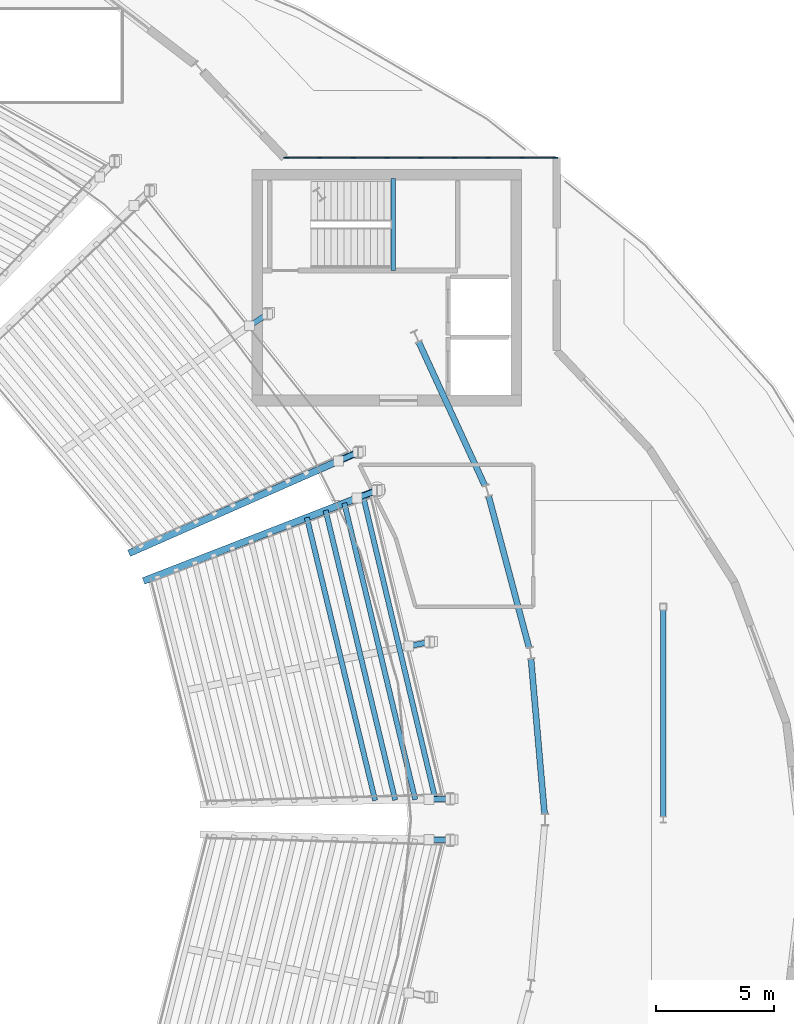
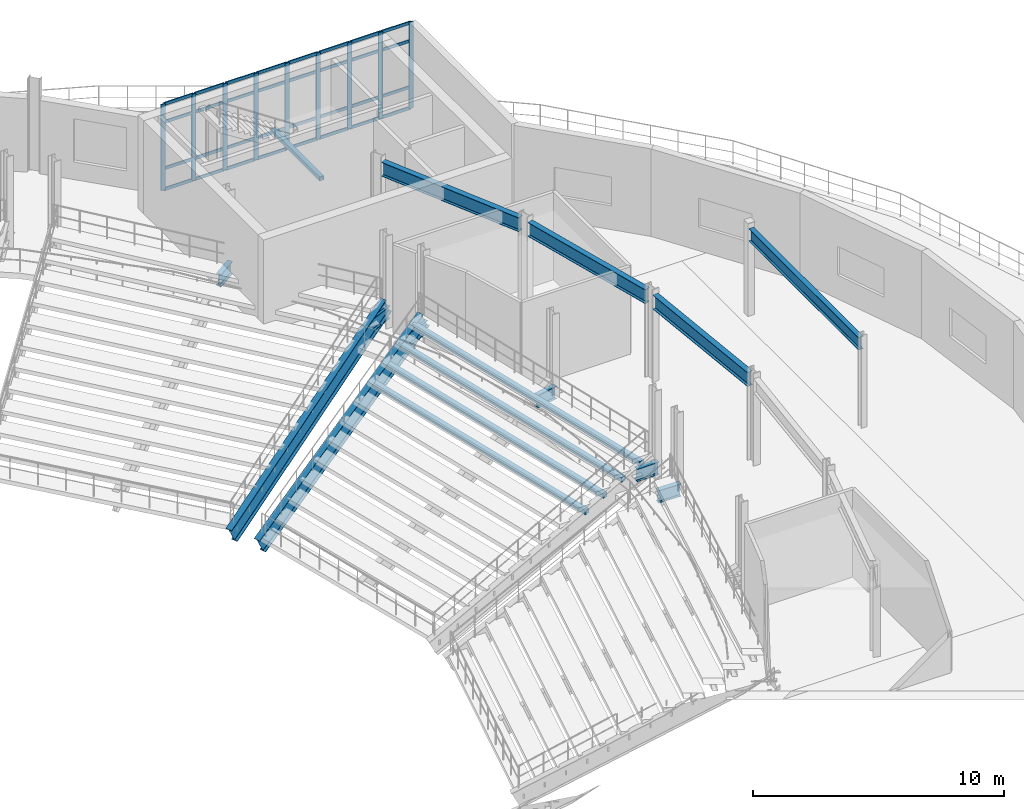
# One storey, part 42 of 81: 41 members, 17 beams, 1 element without a shape of its own.
"""IFC4 building model written with IfcOpenShell, lengths in metres."""

from ifc_helpers import new_model, si_unit, direction, frame, origin, origin_2d, place, context, subcontext, project, spatial, rectangle, hollow_rectangle, i_section, extrude, material, material_profile, profile_set, type_object, element, aggregate, save


model = new_model("IFC4")

# Units and contexts
model_context = context("Model", 3, precision=1e-05, world=origin(), true_north=direction((0.0, 1.0)))
body_context = subcontext(model_context, "Body", "Model", "MODEL_VIEW")
ifc_project = project(units=[si_unit("LENGTHUNIT", "METRE"), si_unit("AREAUNIT", "SQUARE_METRE"), si_unit("VOLUMEUNIT", "CUBIC_METRE"), si_unit("PLANEANGLEUNIT", "RADIAN"), si_unit("MASSUNIT", "GRAM", prefix="KILO")], contexts=[model_context])

# Site, building, storey
site_placement = place(None, origin())
site = spatial("IfcSite", under=ifc_project, at=site_placement, CompositionType="ELEMENT")
building_placement = place(site_placement, origin())
building = spatial("IfcBuilding", under=site, at=building_placement, Name="Glasvene Arena", CompositionType="ELEMENT")
storey_placement = place(building_placement, frame((0.0, 0.0, 15.0)))
storey = spatial("IfcBuildingStorey", under=building, at=storey_placement, Name="L03", CompositionType="ELEMENT", Elevation=15.0)

# Beams
ifc_material_1 = material(Name="Steel S355J2", Category="steel")
ifc_material_profile_1 = material_profile(ifc_material_1, i_section(OverallWidth=0.228271484375, OverallDepth=0.607666015625, WebThickness=0.010986328125, FlangeThickness=0.017333984375, FilletRadius=0.0126953125, at=origin_2d()), Name="UKB 610x229x113")
ifc_profile_set_1 = profile_set([ifc_material_profile_1], Name="Steel S355J2")
beam_type_1 = type_object("IfcBeamType", Name="BM-GIRD-610", PredefinedType="BEAM", material=ifc_profile_set_1)
beam_1_placement = place(storey_placement, frame((147.0, 73.125244140625, 3.9462890625), z_axis=(0.0, 1.0, 0.0), x_axis=(-1.0, 0.0, 0.0)))
element("IfcBeam", 1, at=beam_1_placement, inside=storey, type_object=beam_type_1, Name="Primary Y girder L03-0985", PredefinedType="BEAM", context=body_context, shape_type="SweptSolid", body=[
    extrude(i_section(OverallWidth=0.228271484375, OverallDepth=0.607666015625, WebThickness=0.010986328125, FlangeThickness=0.017333984375, FilletRadius=0.0126953125, at=origin_2d()), origin(), (0.0, 0.0, 1.0), 8.729736328125),
])
for number, where, z_axis, x_axis, name in (
    (2, (137.08837890625, 73.85302734375, 0.60498046875), (0.999741464718, 0.02273771586, 0.0), (-0.02273771586, 0.999741464718, 0.0), "Upper raker rear seat haunch girder RKS-01-1"),
    (3, (136.2333984375, 80.33544921875, 0.544921875), (0.980791823058, 0.195057426987, 0.0), (-0.195057426987, 0.980791823058, 0.0), "Upper raker rear seat haunch girder RKS-01-2"),
    (4, (134.0478515625, 86.596923828125, 0.60498046875), (0.932305314337, 0.361672228488, 0.0), (-0.361672228488, 0.932305314337, 0.0), "Upper raker rear seat haunch girder RKS-01-3"),
    (5, (133.2646484375, 88.17333984375, 0.60498046875), (0.914972384144, 0.403516463423, 0.0), (-0.403516463423, 0.914972384144, 0.0), "Upper raker rear seat haunch girder RKS-02-1"),
):
    element("IfcBeam", number, at=place(storey_placement, frame(where, z_axis=z_axis, x_axis=x_axis)), inside=storey, type_object=beam_type_1, Name=name, PredefinedType="BEAM", context=body_context, shape_type="SweptSolid", body=[
        extrude(i_section(OverallWidth=0.228271484375, OverallDepth=0.607666015625, WebThickness=0.010986328125, FlangeThickness=0.017333984375, FilletRadius=0.0126953125, at=origin_2d()), origin(), (0.0, 0.0, 1.0), 1.02001953125),
    ])
beam_2_placement = place(storey_placement, frame((129.499267578125, 93.889404296875, 0.544921875), z_axis=(0.831386976724, 0.555693885997, 0.0), x_axis=(-0.555693885997, 0.831386976724, 0.0)))
element("IfcBeam", 6, at=beam_2_placement, inside=storey, type_object=beam_type_1, Name="Upper raker rear seat haunch girder RKS-02-2", PredefinedType="BEAM", context=body_context, shape_type="SweptSolid", body=[
    extrude(i_section(OverallWidth=0.228271484375, OverallDepth=0.607666015625, WebThickness=0.010986328125, FlangeThickness=0.017333984375, FilletRadius=0.0126953125, at=origin_2d()), origin(), (0.0, 0.0, 1.0), 1.020263671875),
])
beam_3_placement = place(storey_placement, frame((137.08837890625, 72.14697265625, 0.60498046875), z_axis=(0.999741464718, -0.02273771586, 0.0), x_axis=(0.02273771586, 0.999741464718, 0.0)))
element("IfcBeam", 7, at=beam_3_placement, inside=storey, type_object=beam_type_1, Name="Upper raker rear seat haunch girder RKS-16-3", PredefinedType="BEAM", context=body_context, shape_type="SweptSolid", body=[
    extrude(i_section(OverallWidth=0.228271484375, OverallDepth=0.607666015625, WebThickness=0.010986328125, FlangeThickness=0.017333984375, FilletRadius=0.0126953125, at=origin_2d()), origin(), (0.0, 0.0, 1.0), 1.02001953125),
])
ifc_material_profile_2 = material_profile(ifc_material_1, i_section(OverallWidth=0.253662109375, OverallDepth=0.68359375, WebThickness=0.012451171875, FlangeThickness=0.01904296875, FilletRadius=0.01513671875, at=origin_2d()), Name="UKB 686x254x140")
ifc_profile_set_2 = profile_set([ifc_material_profile_2], Name="Steel S355J2")
beam_type_2 = type_object("IfcBeamType", Name="BM-GIRD-686", PredefinedType="BEAM", material=ifc_profile_set_2)
beam_4_placement = place(storey_placement, frame((141.97900390625, 73.239013671875, 3.908203125), z_axis=(-0.087106255104, 0.996199026461, 0.0), x_axis=(-0.996199026461, -0.087106255104, 0.0)))
element("IfcBeam", 8, at=beam_4_placement, inside=storey, type_object=beam_type_2, Name="Bowl ring chord beam L03-01", PredefinedType="BEAM", context=body_context, shape_type="SweptSolid", body=[
    extrude(i_section(OverallWidth=0.253662109375, OverallDepth=0.68359375, WebThickness=0.012451171875, FlangeThickness=0.01904296875, FilletRadius=0.01513671875, at=origin_2d()), origin(), (0.0, 0.0, 1.0), 6.586669921875),
])
beam_5_placement = place(storey_placement, frame((141.322509765625, 80.271484375, 3.908203125), z_axis=(-0.257729153992, 0.966217202901, 0.0), x_axis=(-0.966217202901, -0.257729153992, 0.0)))
element("IfcBeam", 9, at=beam_5_placement, inside=storey, type_object=beam_type_2, Name="Bowl ring chord beam L03-02", PredefinedType="BEAM", context=body_context, shape_type="SweptSolid", body=[
    extrude(i_section(OverallWidth=0.253662109375, OverallDepth=0.68359375, WebThickness=0.012451171875, FlangeThickness=0.01904296875, FilletRadius=0.01513671875, at=origin_2d()), origin(), (0.0, 0.0, 1.0), 6.626220703125),
])
beam_6_placement = place(storey_placement, frame((139.452392578125, 87.123779296875, 3.908203125), z_axis=(-0.418069169042, 0.908415196866, 0.0), x_axis=(-0.908415196866, -0.418069169042, 0.0)))
element("IfcBeam", 10, at=beam_6_placement, inside=storey, type_object=beam_type_2, Name="Bowl ring chord beam L03-03", PredefinedType="BEAM", context=body_context, shape_type="SweptSolid", body=[
    extrude(i_section(OverallWidth=0.253662109375, OverallDepth=0.68359375, WebThickness=0.012451171875, FlangeThickness=0.01904296875, FilletRadius=0.01513671875, at=origin_2d()), origin(), (0.0, 0.0, 1.0), 6.70166015625),
])
ifc_material_profile_3 = material_profile(ifc_material_1, hollow_rectangle(XDim=0.199951171875, YDim=0.199951171875, WallThickness=0.010009765625, at=origin_2d()), Name="SHS 200x200x10.0")
ifc_profile_set_3 = profile_set([ifc_material_profile_3], Name="Steel S355J2")
beam_type_3 = type_object("IfcBeamType", Name="BM-LINTEL-200", PredefinedType="LINTEL", material=ifc_profile_set_3)
beam_7_placement = place(storey_placement, frame((135.580078125, 96.22998046875, 1.929931640625), z_axis=(0.0, 1.0, 0.0), x_axis=(-1.0, 0.0, 0.0)))
element("IfcBeam", 11, at=beam_7_placement, inside=storey, type_object=beam_type_3, Name="Stair half-landing support beam ST-02-L03", PredefinedType="LINTEL", context=body_context, shape_type="SweptSolid", body=[
    extrude(hollow_rectangle(XDim=0.199951171875, YDim=0.199951171875, WallThickness=0.010009765625, at=origin_2d()), origin(), (0.0, 0.0, 1.0), 3.89013671875),
])
ifc_material_profile_4 = material_profile(ifc_material_1, i_section(OverallWidth=0.29248046875, OverallDepth=0.8408203125, WebThickness=0.0146484375, FlangeThickness=0.021728515625, FilletRadius=0.017822265625, at=origin_2d()), Name="UKB 838x292x194")
ifc_profile_set_4 = profile_set([ifc_material_profile_4], Name="Steel S355J2")
beam_type_4 = type_object("IfcBeamType", Name="Upper bowl raker", PredefinedType="USERDEFINED", material=ifc_profile_set_4)
beam_8_placement = place(storey_placement, frame((125.190673828125, 83.16162109375, -4.320068359375), z_axis=(0.829704586846, 0.321824936055, 0.456091009669), x_axis=(-0.361628219192, 0.932322385811, 0.0)))
element("IfcBeam", 12, at=beam_8_placement, inside=storey, type_object=beam_type_4, Name="Upper bowl cantilevered raker beam RKU-01-3", ObjectType="RAKER BEAM", PredefinedType="USERDEFINED", context=body_context, shape_type="SweptSolid", body=[
    extrude(i_section(OverallWidth=0.29248046875, OverallDepth=0.8408203125, WebThickness=0.0146484375, FlangeThickness=0.021728515625, FilletRadius=0.017822265625, at=origin_2d()), origin(), (0.0, 0.0, 1.0), 11.6865234375),
])
beam_9_placement = place(storey_placement, frame((124.572509765625, 84.339599609375, -4.320068359375), z_axis=(0.814248067092, 0.359137379961, 0.456092564674), x_axis=(-0.403555824655, 0.914955024243, 0.0)))
element("IfcBeam", 13, at=beam_9_placement, inside=storey, type_object=beam_type_4, Name="Upper bowl cantilevered raker beam RKU-02-1", ObjectType="RAKER BEAM", PredefinedType="USERDEFINED", context=body_context, shape_type="SweptSolid", body=[
    extrude(i_section(OverallWidth=0.29248046875, OverallDepth=0.8408203125, WebThickness=0.0146484375, FlangeThickness=0.021728515625, FilletRadius=0.017822265625, at=origin_2d()), origin(), (0.0, 0.0, 1.0), 11.686279296875),
])
ifc_material_2 = material(Name="Precast concrete C50/60", Category="concrete")
ifc_material_profile_5 = material_profile(ifc_material_2, rectangle(XDim=0.219970703125, YDim=0.219970703125, at=origin_2d()), Name="RC 220x220")
ifc_profile_set_5 = profile_set([ifc_material_profile_5], Name="Precast concrete C50/60")
beam_type_5 = type_object("IfcBeamType", Name="BM-TIER-BEARER", PredefinedType="BEAM", material=ifc_profile_set_5)
beam_10_placement = place(storey_placement, frame((134.80908203125, 73.80126953125, -0.375), z_axis=(-0.234433810383, 0.972132083901, 0.0), x_axis=(-0.972132083901, -0.234433810383, 0.0)))
element("IfcBeam", 14, at=beam_10_placement, inside=storey, type_object=beam_type_5, Name="Upper tier precast row bearer 01-R09", PredefinedType="BEAM", context=body_context, shape_type="SweptSolid", body=[
    extrude(rectangle(XDim=0.219970703125, YDim=0.219970703125, at=origin_2d()), origin(), (0.0, 0.0, 1.0), 12.314697265625),
])
beam_11_placement = place(storey_placement, frame((135.65869140625, 73.820556640625, 0.10498046875), z_axis=(-0.233508438438, 0.972354775367, 0.0), x_axis=(-0.972354775367, -0.233508438438, 0.0)))
element("IfcBeam", 15, at=beam_11_placement, inside=storey, type_object=beam_type_5, Name="Upper tier precast row bearer 01-R10", PredefinedType="BEAM", context=body_context, shape_type="SweptSolid", body=[
    extrude(rectangle(XDim=0.219970703125, YDim=0.219970703125, at=origin_2d()), origin(), (0.0, 0.0, 1.0), 12.608154296875),
])
beam_12_placement = place(storey_placement, frame((136.508544921875, 73.83984375, 0.5849609375), z_axis=(-0.232647147532, 0.97256120874, 0.0), x_axis=(-0.97256120874, -0.232647147532, 0.0)))
element("IfcBeam", 16, at=beam_12_placement, inside=storey, type_object=beam_type_5, Name="Upper tier precast row bearer 01-R11", PredefinedType="BEAM", context=body_context, shape_type="SweptSolid", body=[
    extrude(rectangle(XDim=0.219970703125, YDim=0.219970703125, at=origin_2d()), origin(), (0.0, 0.0, 1.0), 12.9013671875),
])
beam_13_placement = place(storey_placement, frame((137.3583984375, 73.859130859375, 1.06494140625), z_axis=(-0.231819803221, 0.97275874647, 0.0), x_axis=(-0.97275874647, -0.231819803221, 0.0)))
element("IfcBeam", 17, at=beam_13_placement, inside=storey, type_object=beam_type_5, Name="Upper tier precast row bearer 01-R12", PredefinedType="BEAM", context=body_context, shape_type="SweptSolid", body=[
    extrude(rectangle(XDim=0.219970703125, YDim=0.219970703125, at=origin_2d()), origin(), (0.0, 0.0, 1.0), 13.19482421875),
])

# Curtain wall, members
ifc_material_3 = material(Name="Low-emissivity laminated double glazing", Category="glass")
curtain_wall_type = type_object("IfcCurtainWallType", Name="CW-FAC-L03-1144x419", PredefinedType="USERDEFINED", material=ifc_material_3)
curtain_wall_placement = place(storey_placement, frame((131.020263671875, 101.0, 0.0)))
curtain_wall = element("IfcCurtainWall", 18, at=curtain_wall_placement, inside=storey, type_object=curtain_wall_type, Name="Unitised curtain wall CW-F-L03-180-1367-1010-34", ObjectType="CURTAIN WALL", PredefinedType="USERDEFINED")
ifc_material_4 = material(Name="Anodised architectural aluminium", Category="aluminium")
ifc_material_profile_6 = material_profile(ifc_material_4, rectangle(XDim=0.050048828125, YDim=0.199951171875, at=origin_2d()), Name="ALU MULLION 50x200")
ifc_profile_set_6 = profile_set([ifc_material_profile_6], Name="Anodised architectural aluminium")
member_type_1 = type_object("IfcMemberType", Name="CW-MUL-180", PredefinedType="MULLION", material=ifc_profile_set_6)
member_1_placement = place(storey_placement, frame((131.045166015625, 101.0, 0.06005859375), z_axis=(0.0, 0.0, 1.0), x_axis=(0.0, 1.0, 0.0)))
member_1 = element("IfcMember", 19, at=member_1_placement, type_object=member_type_1, Name="CW-038 mullion 1", PredefinedType="MULLION", context=body_context, shape_type="SweptSolid", body=[
    extrude(rectangle(XDim=0.050048828125, YDim=0.199951171875, at=origin_2d()), origin(), (0.0, 0.0, 1.0), 4.18994140625),
])
member_2_placement = place(storey_placement, frame((132.4501953125, 101.0, 0.06005859375), z_axis=(0.0, 0.0, 1.0), x_axis=(0.0, 1.0, 0.0)))
member_2 = element("IfcMember", 20, at=member_2_placement, type_object=member_type_1, Name="CW-038 mullion 2", PredefinedType="MULLION", context=body_context, shape_type="SweptSolid", body=[
    extrude(rectangle(XDim=0.050048828125, YDim=0.199951171875, at=origin_2d()), origin(), (0.0, 0.0, 1.0), 4.18994140625),
])
member_3_placement = place(storey_placement, frame((133.880126953125, 101.0, 0.06005859375), z_axis=(0.0, 0.0, 1.0), x_axis=(0.0, 1.0, 0.0)))
member_3 = element("IfcMember", 21, at=member_3_placement, type_object=member_type_1, Name="CW-038 mullion 3", PredefinedType="MULLION", context=body_context, shape_type="SweptSolid", body=[
    extrude(rectangle(XDim=0.050048828125, YDim=0.199951171875, at=origin_2d()), origin(), (0.0, 0.0, 1.0), 4.18994140625),
])
member_4_placement = place(storey_placement, frame((135.31005859375, 101.0, 0.06005859375), z_axis=(0.0, 0.0, 1.0), x_axis=(0.0, 1.0, 0.0)))
member_4 = element("IfcMember", 22, at=member_4_placement, type_object=member_type_1, Name="CW-038 mullion 4", PredefinedType="MULLION", context=body_context, shape_type="SweptSolid", body=[
    extrude(rectangle(XDim=0.050048828125, YDim=0.199951171875, at=origin_2d()), origin(), (0.0, 0.0, 1.0), 4.18994140625),
])
member_5_placement = place(storey_placement, frame((136.739990234375, 101.0, 0.06005859375), z_axis=(0.0, 0.0, 1.0), x_axis=(0.0, 1.0, 0.0)))
member_5 = element("IfcMember", 23, at=member_5_placement, type_object=member_type_1, Name="CW-038 mullion 5", PredefinedType="MULLION", context=body_context, shape_type="SweptSolid", body=[
    extrude(rectangle(XDim=0.050048828125, YDim=0.199951171875, at=origin_2d()), origin(), (0.0, 0.0, 1.0), 4.18994140625),
])
member_6_placement = place(storey_placement, frame((138.170166015625, 101.0, 0.06005859375), z_axis=(0.0, 0.0, 1.0), x_axis=(0.0, 1.0, 0.0)))
member_6 = element("IfcMember", 24, at=member_6_placement, type_object=member_type_1, Name="CW-038 mullion 6", PredefinedType="MULLION", context=body_context, shape_type="SweptSolid", body=[
    extrude(rectangle(XDim=0.050048828125, YDim=0.199951171875, at=origin_2d()), origin(), (0.0, 0.0, 1.0), 4.18994140625),
])
member_7_placement = place(storey_placement, frame((139.60009765625, 101.0, 0.06005859375), z_axis=(0.0, 0.0, 1.0), x_axis=(0.0, 1.0, 0.0)))
member_7 = element("IfcMember", 25, at=member_7_placement, type_object=member_type_1, Name="CW-038 mullion 7", PredefinedType="MULLION", context=body_context, shape_type="SweptSolid", body=[
    extrude(rectangle(XDim=0.050048828125, YDim=0.199951171875, at=origin_2d()), origin(), (0.0, 0.0, 1.0), 4.18994140625),
])
member_8_placement = place(storey_placement, frame((141.030029296875, 101.0, 0.06005859375), z_axis=(0.0, 0.0, 1.0), x_axis=(0.0, 1.0, 0.0)))
member_8 = element("IfcMember", 26, at=member_8_placement, type_object=member_type_1, Name="CW-038 mullion 8", PredefinedType="MULLION", context=body_context, shape_type="SweptSolid", body=[
    extrude(rectangle(XDim=0.050048828125, YDim=0.199951171875, at=origin_2d()), origin(), (0.0, 0.0, 1.0), 4.18994140625),
])
member_9_placement = place(storey_placement, frame((142.43505859375, 101.0, 0.06005859375), z_axis=(0.0, 0.0, 1.0), x_axis=(0.0, 1.0, 0.0)))
member_9 = element("IfcMember", 27, at=member_9_placement, type_object=member_type_1, Name="CW-038 mullion 9", PredefinedType="MULLION", context=body_context, shape_type="SweptSolid", body=[
    extrude(rectangle(XDim=0.050048828125, YDim=0.199951171875, at=origin_2d()), origin(), (0.0, 0.0, 1.0), 4.18994140625),
])
ifc_material_profile_7 = material_profile(ifc_material_4, rectangle(XDim=0.050048828125, YDim=0.14990234375, at=origin_2d()), Name="ALU TRANSOM 50x150")
ifc_profile_set_7 = profile_set([ifc_material_profile_7], Name="Anodised architectural aluminium")
member_type_2 = type_object("IfcMemberType", Name="CW-TRN-150", PredefinedType="USERDEFINED", material=ifc_profile_set_7)
member_10_placement = place(storey_placement, frame((131.0703125, 101.0, 0.0849609375), z_axis=(1.0, 0.0, 0.0), x_axis=(0.0, 1.0, 0.0)))
member_10 = element("IfcMember", 28, at=member_10_placement, type_object=member_type_2, Name="CW-038 transom 1.1", ObjectType="TRANSOM", PredefinedType="USERDEFINED", context=body_context, shape_type="SweptSolid", body=[
    extrude(rectangle(XDim=0.050048828125, YDim=0.14990234375, at=origin_2d()), origin(), (0.0, 0.0, 1.0), 1.35498046875),
])
member_11_placement = place(storey_placement, frame((131.0703125, 101.0, 1.10009765625), z_axis=(1.0, 0.0, 0.0), x_axis=(0.0, 1.0, 0.0)))
member_11 = element("IfcMember", 29, at=member_11_placement, type_object=member_type_2, Name="CW-038 transom 1.2", ObjectType="TRANSOM", PredefinedType="USERDEFINED", context=body_context, shape_type="SweptSolid", body=[
    extrude(rectangle(XDim=0.050048828125, YDim=0.14990234375, at=origin_2d()), origin(), (0.0, 0.0, 1.0), 1.35498046875),
])
member_12_placement = place(storey_placement, frame((131.0703125, 101.0, 3.35009765625), z_axis=(1.0, 0.0, 0.0), x_axis=(0.0, 1.0, 0.0)))
member_12 = element("IfcMember", 30, at=member_12_placement, type_object=member_type_2, Name="CW-038 transom 1.3", ObjectType="TRANSOM", PredefinedType="USERDEFINED", context=body_context, shape_type="SweptSolid", body=[
    extrude(rectangle(XDim=0.050048828125, YDim=0.14990234375, at=origin_2d()), origin(), (0.0, 0.0, 1.0), 1.35498046875),
])
member_13_placement = place(storey_placement, frame((131.0703125, 101.0, 4.22509765625), z_axis=(1.0, 0.0, 0.0), x_axis=(0.0, 1.0, 0.0)))
member_13 = element("IfcMember", 31, at=member_13_placement, type_object=member_type_2, Name="CW-038 transom 1.4", ObjectType="TRANSOM", PredefinedType="USERDEFINED", context=body_context, shape_type="SweptSolid", body=[
    extrude(rectangle(XDim=0.050048828125, YDim=0.14990234375, at=origin_2d()), origin(), (0.0, 0.0, 1.0), 1.35498046875),
])
member_14_placement = place(storey_placement, frame((132.47509765625, 101.0, 0.0849609375), z_axis=(1.0, 0.0, 0.0), x_axis=(0.0, 1.0, 0.0)))
member_14 = element("IfcMember", 32, at=member_14_placement, type_object=member_type_2, Name="CW-038 transom 2.1", ObjectType="TRANSOM", PredefinedType="USERDEFINED", context=body_context, shape_type="SweptSolid", body=[
    extrude(rectangle(XDim=0.050048828125, YDim=0.14990234375, at=origin_2d()), origin(), (0.0, 0.0, 1.0), 1.380126953125),
])
member_15_placement = place(storey_placement, frame((132.47509765625, 101.0, 1.10009765625), z_axis=(1.0, 0.0, 0.0), x_axis=(0.0, 1.0, 0.0)))
member_15 = element("IfcMember", 33, at=member_15_placement, type_object=member_type_2, Name="CW-038 transom 2.2", ObjectType="TRANSOM", PredefinedType="USERDEFINED", context=body_context, shape_type="SweptSolid", body=[
    extrude(rectangle(XDim=0.050048828125, YDim=0.14990234375, at=origin_2d()), origin(), (0.0, 0.0, 1.0), 1.380126953125),
])
member_16_placement = place(storey_placement, frame((132.47509765625, 101.0, 3.35009765625), z_axis=(1.0, 0.0, 0.0), x_axis=(0.0, 1.0, 0.0)))
member_16 = element("IfcMember", 34, at=member_16_placement, type_object=member_type_2, Name="CW-038 transom 2.3", ObjectType="TRANSOM", PredefinedType="USERDEFINED", context=body_context, shape_type="SweptSolid", body=[
    extrude(rectangle(XDim=0.050048828125, YDim=0.14990234375, at=origin_2d()), origin(), (0.0, 0.0, 1.0), 1.380126953125),
])
member_17_placement = place(storey_placement, frame((132.47509765625, 101.0, 4.22509765625), z_axis=(1.0, 0.0, 0.0), x_axis=(0.0, 1.0, 0.0)))
member_17 = element("IfcMember", 35, at=member_17_placement, type_object=member_type_2, Name="CW-038 transom 2.4", ObjectType="TRANSOM", PredefinedType="USERDEFINED", context=body_context, shape_type="SweptSolid", body=[
    extrude(rectangle(XDim=0.050048828125, YDim=0.14990234375, at=origin_2d()), origin(), (0.0, 0.0, 1.0), 1.380126953125),
])
member_18_placement = place(storey_placement, frame((133.905029296875, 101.0, 0.0849609375), z_axis=(1.0, 0.0, 0.0), x_axis=(0.0, 1.0, 0.0)))
member_18 = element("IfcMember", 36, at=member_18_placement, type_object=member_type_2, Name="CW-038 transom 3.1", ObjectType="TRANSOM", PredefinedType="USERDEFINED", context=body_context, shape_type="SweptSolid", body=[
    extrude(rectangle(XDim=0.050048828125, YDim=0.14990234375, at=origin_2d()), origin(), (0.0, 0.0, 1.0), 1.380126953125),
])
member_19_placement = place(storey_placement, frame((133.905029296875, 101.0, 1.10009765625), z_axis=(1.0, 0.0, 0.0), x_axis=(0.0, 1.0, 0.0)))
member_19 = element("IfcMember", 37, at=member_19_placement, type_object=member_type_2, Name="CW-038 transom 3.2", ObjectType="TRANSOM", PredefinedType="USERDEFINED", context=body_context, shape_type="SweptSolid", body=[
    extrude(rectangle(XDim=0.050048828125, YDim=0.14990234375, at=origin_2d()), origin(), (0.0, 0.0, 1.0), 1.380126953125),
])
member_20_placement = place(storey_placement, frame((133.905029296875, 101.0, 3.35009765625), z_axis=(1.0, 0.0, 0.0), x_axis=(0.0, 1.0, 0.0)))
member_20 = element("IfcMember", 38, at=member_20_placement, type_object=member_type_2, Name="CW-038 transom 3.3", ObjectType="TRANSOM", PredefinedType="USERDEFINED", context=body_context, shape_type="SweptSolid", body=[
    extrude(rectangle(XDim=0.050048828125, YDim=0.14990234375, at=origin_2d()), origin(), (0.0, 0.0, 1.0), 1.380126953125),
])
member_21_placement = place(storey_placement, frame((133.905029296875, 101.0, 4.22509765625), z_axis=(1.0, 0.0, 0.0), x_axis=(0.0, 1.0, 0.0)))
member_21 = element("IfcMember", 39, at=member_21_placement, type_object=member_type_2, Name="CW-038 transom 3.4", ObjectType="TRANSOM", PredefinedType="USERDEFINED", context=body_context, shape_type="SweptSolid", body=[
    extrude(rectangle(XDim=0.050048828125, YDim=0.14990234375, at=origin_2d()), origin(), (0.0, 0.0, 1.0), 1.380126953125),
])
member_22_placement = place(storey_placement, frame((135.335205078125, 101.0, 0.0849609375), z_axis=(1.0, 0.0, 0.0), x_axis=(0.0, 1.0, 0.0)))
member_22 = element("IfcMember", 40, at=member_22_placement, type_object=member_type_2, Name="CW-038 transom 4.1", ObjectType="TRANSOM", PredefinedType="USERDEFINED", context=body_context, shape_type="SweptSolid", body=[
    extrude(rectangle(XDim=0.050048828125, YDim=0.14990234375, at=origin_2d()), origin(), (0.0, 0.0, 1.0), 1.3798828125),
])
member_23_placement = place(storey_placement, frame((135.335205078125, 101.0, 1.10009765625), z_axis=(1.0, 0.0, 0.0), x_axis=(0.0, 1.0, 0.0)))
member_23 = element("IfcMember", 41, at=member_23_placement, type_object=member_type_2, Name="CW-038 transom 4.2", ObjectType="TRANSOM", PredefinedType="USERDEFINED", context=body_context, shape_type="SweptSolid", body=[
    extrude(rectangle(XDim=0.050048828125, YDim=0.14990234375, at=origin_2d()), origin(), (0.0, 0.0, 1.0), 1.3798828125),
])
member_24_placement = place(storey_placement, frame((135.335205078125, 101.0, 3.35009765625), z_axis=(1.0, 0.0, 0.0), x_axis=(0.0, 1.0, 0.0)))
member_24 = element("IfcMember", 42, at=member_24_placement, type_object=member_type_2, Name="CW-038 transom 4.3", ObjectType="TRANSOM", PredefinedType="USERDEFINED", context=body_context, shape_type="SweptSolid", body=[
    extrude(rectangle(XDim=0.050048828125, YDim=0.14990234375, at=origin_2d()), origin(), (0.0, 0.0, 1.0), 1.3798828125),
])
member_25_placement = place(storey_placement, frame((135.335205078125, 101.0, 4.22509765625), z_axis=(1.0, 0.0, 0.0), x_axis=(0.0, 1.0, 0.0)))
member_25 = element("IfcMember", 43, at=member_25_placement, type_object=member_type_2, Name="CW-038 transom 4.4", ObjectType="TRANSOM", PredefinedType="USERDEFINED", context=body_context, shape_type="SweptSolid", body=[
    extrude(rectangle(XDim=0.050048828125, YDim=0.14990234375, at=origin_2d()), origin(), (0.0, 0.0, 1.0), 1.3798828125),
])
member_26_placement = place(storey_placement, frame((136.76513671875, 101.0, 0.0849609375), z_axis=(1.0, 0.0, 0.0), x_axis=(0.0, 1.0, 0.0)))
member_26 = element("IfcMember", 44, at=member_26_placement, type_object=member_type_2, Name="CW-038 transom 5.1", ObjectType="TRANSOM", PredefinedType="USERDEFINED", context=body_context, shape_type="SweptSolid", body=[
    extrude(rectangle(XDim=0.050048828125, YDim=0.14990234375, at=origin_2d()), origin(), (0.0, 0.0, 1.0), 1.3798828125),
])
member_27_placement = place(storey_placement, frame((136.76513671875, 101.0, 1.10009765625), z_axis=(1.0, 0.0, 0.0), x_axis=(0.0, 1.0, 0.0)))
member_27 = element("IfcMember", 45, at=member_27_placement, type_object=member_type_2, Name="CW-038 transom 5.2", ObjectType="TRANSOM", PredefinedType="USERDEFINED", context=body_context, shape_type="SweptSolid", body=[
    extrude(rectangle(XDim=0.050048828125, YDim=0.14990234375, at=origin_2d()), origin(), (0.0, 0.0, 1.0), 1.3798828125),
])
member_28_placement = place(storey_placement, frame((136.76513671875, 101.0, 3.35009765625), z_axis=(1.0, 0.0, 0.0), x_axis=(0.0, 1.0, 0.0)))
member_28 = element("IfcMember", 46, at=member_28_placement, type_object=member_type_2, Name="CW-038 transom 5.3", ObjectType="TRANSOM", PredefinedType="USERDEFINED", context=body_context, shape_type="SweptSolid", body=[
    extrude(rectangle(XDim=0.050048828125, YDim=0.14990234375, at=origin_2d()), origin(), (0.0, 0.0, 1.0), 1.3798828125),
])
member_29_placement = place(storey_placement, frame((136.76513671875, 101.0, 4.22509765625), z_axis=(1.0, 0.0, 0.0), x_axis=(0.0, 1.0, 0.0)))
member_29 = element("IfcMember", 47, at=member_29_placement, type_object=member_type_2, Name="CW-038 transom 5.4", ObjectType="TRANSOM", PredefinedType="USERDEFINED", context=body_context, shape_type="SweptSolid", body=[
    extrude(rectangle(XDim=0.050048828125, YDim=0.14990234375, at=origin_2d()), origin(), (0.0, 0.0, 1.0), 1.3798828125),
])
member_30_placement = place(storey_placement, frame((138.195068359375, 101.0, 0.0849609375), z_axis=(1.0, 0.0, 0.0), x_axis=(0.0, 1.0, 0.0)))
member_30 = element("IfcMember", 48, at=member_30_placement, type_object=member_type_2, Name="CW-038 transom 6.1", ObjectType="TRANSOM", PredefinedType="USERDEFINED", context=body_context, shape_type="SweptSolid", body=[
    extrude(rectangle(XDim=0.050048828125, YDim=0.14990234375, at=origin_2d()), origin(), (0.0, 0.0, 1.0), 1.3798828125),
])
member_31_placement = place(storey_placement, frame((138.195068359375, 101.0, 1.10009765625), z_axis=(1.0, 0.0, 0.0), x_axis=(0.0, 1.0, 0.0)))
member_31 = element("IfcMember", 49, at=member_31_placement, type_object=member_type_2, Name="CW-038 transom 6.2", ObjectType="TRANSOM", PredefinedType="USERDEFINED", context=body_context, shape_type="SweptSolid", body=[
    extrude(rectangle(XDim=0.050048828125, YDim=0.14990234375, at=origin_2d()), origin(), (0.0, 0.0, 1.0), 1.3798828125),
])
member_32_placement = place(storey_placement, frame((138.195068359375, 101.0, 3.35009765625), z_axis=(1.0, 0.0, 0.0), x_axis=(0.0, 1.0, 0.0)))
member_32 = element("IfcMember", 50, at=member_32_placement, type_object=member_type_2, Name="CW-038 transom 6.3", ObjectType="TRANSOM", PredefinedType="USERDEFINED", context=body_context, shape_type="SweptSolid", body=[
    extrude(rectangle(XDim=0.050048828125, YDim=0.14990234375, at=origin_2d()), origin(), (0.0, 0.0, 1.0), 1.3798828125),
])
member_33_placement = place(storey_placement, frame((138.195068359375, 101.0, 4.22509765625), z_axis=(1.0, 0.0, 0.0), x_axis=(0.0, 1.0, 0.0)))
member_33 = element("IfcMember", 51, at=member_33_placement, type_object=member_type_2, Name="CW-038 transom 6.4", ObjectType="TRANSOM", PredefinedType="USERDEFINED", context=body_context, shape_type="SweptSolid", body=[
    extrude(rectangle(XDim=0.050048828125, YDim=0.14990234375, at=origin_2d()), origin(), (0.0, 0.0, 1.0), 1.3798828125),
])
member_34_placement = place(storey_placement, frame((139.625, 101.0, 0.0849609375), z_axis=(1.0, 0.0, 0.0), x_axis=(0.0, 1.0, 0.0)))
member_34 = element("IfcMember", 52, at=member_34_placement, type_object=member_type_2, Name="CW-038 transom 7.1", ObjectType="TRANSOM", PredefinedType="USERDEFINED", context=body_context, shape_type="SweptSolid", body=[
    extrude(rectangle(XDim=0.050048828125, YDim=0.14990234375, at=origin_2d()), origin(), (0.0, 0.0, 1.0), 1.380126953125),
])
member_35_placement = place(storey_placement, frame((139.625, 101.0, 1.10009765625), z_axis=(1.0, 0.0, 0.0), x_axis=(0.0, 1.0, 0.0)))
member_35 = element("IfcMember", 53, at=member_35_placement, type_object=member_type_2, Name="CW-038 transom 7.2", ObjectType="TRANSOM", PredefinedType="USERDEFINED", context=body_context, shape_type="SweptSolid", body=[
    extrude(rectangle(XDim=0.050048828125, YDim=0.14990234375, at=origin_2d()), origin(), (0.0, 0.0, 1.0), 1.380126953125),
])
member_36_placement = place(storey_placement, frame((139.625, 101.0, 3.35009765625), z_axis=(1.0, 0.0, 0.0), x_axis=(0.0, 1.0, 0.0)))
member_36 = element("IfcMember", 54, at=member_36_placement, type_object=member_type_2, Name="CW-038 transom 7.3", ObjectType="TRANSOM", PredefinedType="USERDEFINED", context=body_context, shape_type="SweptSolid", body=[
    extrude(rectangle(XDim=0.050048828125, YDim=0.14990234375, at=origin_2d()), origin(), (0.0, 0.0, 1.0), 1.380126953125),
])
member_37_placement = place(storey_placement, frame((139.625, 101.0, 4.22509765625), z_axis=(1.0, 0.0, 0.0), x_axis=(0.0, 1.0, 0.0)))
member_37 = element("IfcMember", 55, at=member_37_placement, type_object=member_type_2, Name="CW-038 transom 7.4", ObjectType="TRANSOM", PredefinedType="USERDEFINED", context=body_context, shape_type="SweptSolid", body=[
    extrude(rectangle(XDim=0.050048828125, YDim=0.14990234375, at=origin_2d()), origin(), (0.0, 0.0, 1.0), 1.380126953125),
])
member_38_placement = place(storey_placement, frame((141.054931640625, 101.0, 0.0849609375), z_axis=(1.0, 0.0, 0.0), x_axis=(0.0, 1.0, 0.0)))
member_38 = element("IfcMember", 56, at=member_38_placement, type_object=member_type_2, Name="CW-038 transom 8.1", ObjectType="TRANSOM", PredefinedType="USERDEFINED", context=body_context, shape_type="SweptSolid", body=[
    extrude(rectangle(XDim=0.050048828125, YDim=0.14990234375, at=origin_2d()), origin(), (0.0, 0.0, 1.0), 1.35498046875),
])
member_39_placement = place(storey_placement, frame((141.054931640625, 101.0, 1.10009765625), z_axis=(1.0, 0.0, 0.0), x_axis=(0.0, 1.0, 0.0)))
member_39 = element("IfcMember", 57, at=member_39_placement, type_object=member_type_2, Name="CW-038 transom 8.2", ObjectType="TRANSOM", PredefinedType="USERDEFINED", context=body_context, shape_type="SweptSolid", body=[
    extrude(rectangle(XDim=0.050048828125, YDim=0.14990234375, at=origin_2d()), origin(), (0.0, 0.0, 1.0), 1.35498046875),
])
member_40_placement = place(storey_placement, frame((141.054931640625, 101.0, 3.35009765625), z_axis=(1.0, 0.0, 0.0), x_axis=(0.0, 1.0, 0.0)))
member_40 = element("IfcMember", 58, at=member_40_placement, type_object=member_type_2, Name="CW-038 transom 8.3", ObjectType="TRANSOM", PredefinedType="USERDEFINED", context=body_context, shape_type="SweptSolid", body=[
    extrude(rectangle(XDim=0.050048828125, YDim=0.14990234375, at=origin_2d()), origin(), (0.0, 0.0, 1.0), 1.35498046875),
])
member_41_placement = place(storey_placement, frame((141.054931640625, 101.0, 4.22509765625), z_axis=(1.0, 0.0, 0.0), x_axis=(0.0, 1.0, 0.0)))
member_41 = element("IfcMember", 59, at=member_41_placement, type_object=member_type_2, Name="CW-038 transom 8.4", ObjectType="TRANSOM", PredefinedType="USERDEFINED", context=body_context, shape_type="SweptSolid", body=[
    extrude(rectangle(XDim=0.050048828125, YDim=0.14990234375, at=origin_2d()), origin(), (0.0, 0.0, 1.0), 1.35498046875),
])
aggregate(curtain_wall, [member_1, member_2, member_3, member_4, member_5, member_6, member_7, member_8, member_9, member_10, member_11, member_12, member_13, member_14, member_15, member_16, member_17, member_18, member_19, member_20, member_21, member_22, member_23, member_24, member_25, member_26, member_27, member_28, member_29, member_30, member_31, member_32, member_33, member_34, member_35, member_36, member_37, member_38, member_39, member_40, member_41])

save(model, "model.ifc")
